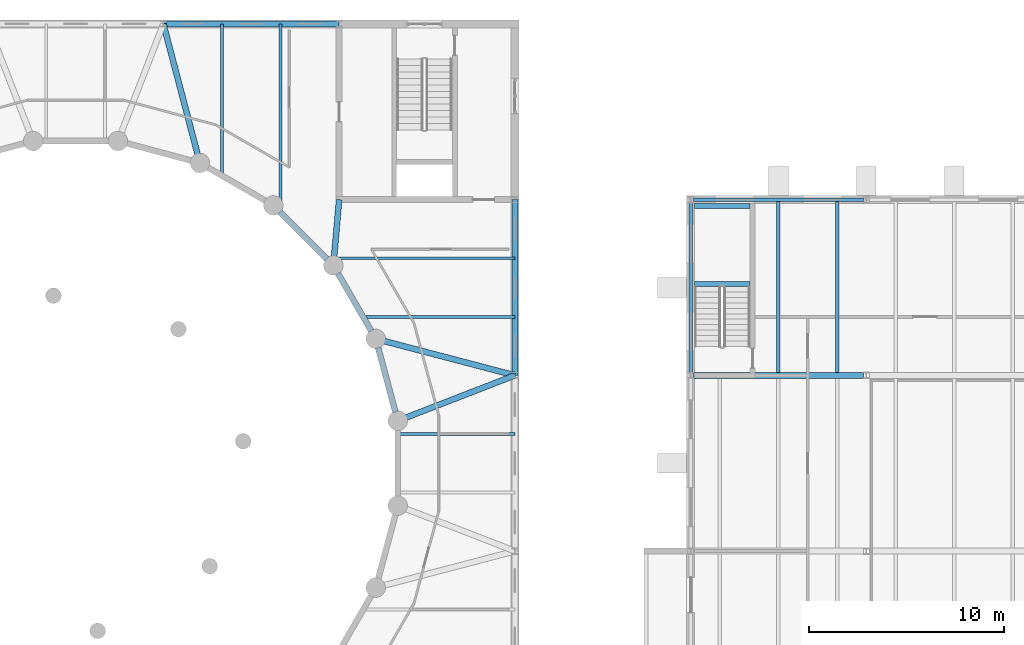
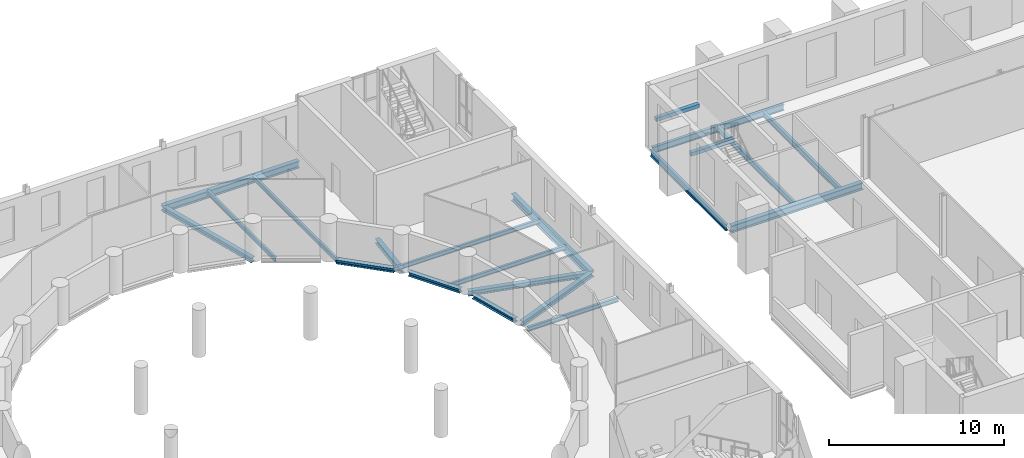
# One storey, part 49 of 134: 21 beams.
"""IFC4 building model written with IfcOpenShell, lengths in metres."""

from ifc_helpers import new_model, si_unit, direction, frame, origin, origin_2d, place, context, subcontext, project, spatial, rectangle, i_section, extrude, material, material_profile, profile_set, type_object, element, save


model = new_model("IFC4")

# Units and contexts
model_context = context("Model", 3, precision=1e-05, world=origin(), true_north=direction((0.0, 1.0)))
body_context = subcontext(model_context, "Body", "Model", "MODEL_VIEW")
ifc_project = project(units=[si_unit("LENGTHUNIT", "METRE"), si_unit("AREAUNIT", "SQUARE_METRE"), si_unit("VOLUMEUNIT", "CUBIC_METRE"), si_unit("PLANEANGLEUNIT", "RADIAN"), si_unit("MASSUNIT", "GRAM", prefix="KILO")], contexts=[model_context])

# Site, building, storey
site_placement = place(None, origin())
site = spatial("IfcSite", under=ifc_project, at=site_placement, CompositionType="ELEMENT")
building_placement = place(site_placement, origin())
building = spatial("IfcBuilding", under=site, at=building_placement, Name="Golden Quay Civic Hall", CompositionType="ELEMENT")
storey_placement = place(building_placement, frame((0.0, 0.0, 5.39990234375)))
storey = spatial("IfcBuildingStorey", under=building, at=storey_placement, Name="L01", CompositionType="ELEMENT", Elevation=5.39990234375)

# Beams
ifc_material_1 = material(Name="Concrete C35/45", Category="concrete")
ifc_material_profile_1 = material_profile(ifc_material_1, rectangle(XDim=0.25, YDim=0.25, at=origin_2d()), Name="RC 250x250")
ifc_profile_set_1 = profile_set([ifc_material_profile_1], Name="Concrete C35/45")
beam_type_1 = type_object("IfcBeamType", Name="Reinforced concrete landing beam 250x250", PredefinedType="BEAM", material=ifc_profile_set_1)
for number, where, z_axis, x_axis, name in (
    (1, (120.050048828125, 94.679931640625, 1.925048828125), (-1.0, 0.0, 0.0), (0.0, -1.0, 0.0), "L01 LB-STN L01 far landing trimmer beam 1"),
    (2, (120.050048828125, 98.675048828125, 1.925048828125), (-1.0, 0.0, 0.0), (0.0, -1.0, 0.0), "L01 LB-STN L01 far landing trimmer beam 2"),
):
    element("IfcBeam", number, at=place(storey_placement, frame(where, z_axis=z_axis, x_axis=x_axis)), inside=storey, type_object=beam_type_1, Name=name, PredefinedType="BEAM", context=body_context, shape_type="SweptSolid", body=[
        extrude(rectangle(XDim=0.25, YDim=0.25, at=origin_2d()), origin(), (0.0, 0.0, 1.0), 2.85009765625),
    ])
ifc_material_2 = material(Name="Steel S355", Category="steel")
ifc_material_profile_2 = material_profile(ifc_material_2, i_section(OverallWidth=0.18994140625, OverallDepth=0.449951171875, WebThickness=0.009521484375, FlangeThickness=0.0146484375, FilletRadius=0.02099609375, at=origin_2d()), Name="IPE 450")
ifc_profile_set_2 = profile_set([ifc_material_profile_2], Name="Steel S355")
beam_type_2 = type_object("IfcBeamType", Name="Steel edge beam IPE 450", PredefinedType="BEAM", material=ifc_profile_set_2)
beam_1_placement = place(storey_placement, frame((117.14990234375, 99.0, -0.4248046875), z_axis=(1.0, 0.0, 0.0), x_axis=(0.0, 1.0, 0.0)))
element("IfcBeam", 3, at=beam_1_placement, inside=storey, type_object=beam_type_2, Name="L01 edge beam 36-1", PredefinedType="BEAM", context=body_context, shape_type="SweptSolid", body=[
    extrude(i_section(OverallWidth=0.18994140625, OverallDepth=0.449951171875, WebThickness=0.009521484375, FlangeThickness=0.0146484375, FilletRadius=0.02099609375, at=origin_2d()), origin(), (0.0, 0.0, 1.0), 8.7001953125),
])
beam_2_placement = place(storey_placement, frame((117.0, 90.14990234375, -0.4248046875), z_axis=(0.0, 1.0, 0.0), x_axis=(-1.0, 0.0, 0.0)))
element("IfcBeam", 4, at=beam_2_placement, inside=storey, type_object=beam_type_2, Name="L01 edge beam u0-4", PredefinedType="BEAM", context=body_context, shape_type="SweptSolid", body=[
    extrude(i_section(OverallWidth=0.18994140625, OverallDepth=0.449951171875, WebThickness=0.009521484375, FlangeThickness=0.0146484375, FilletRadius=0.02099609375, at=origin_2d()), origin(), (0.0, 0.0, 1.0), 8.670166015625),
])
ifc_material_3 = material(Name="Steel S355", Category="steel")
ifc_material_profile_3 = material_profile(ifc_material_3, i_section(OverallWidth=0.300048828125, OverallDepth=0.330078125, WebThickness=0.009521484375, FlangeThickness=0.0166015625, FilletRadius=0.027099609375, at=origin_2d()), Name="HEA 340")
ifc_profile_set_3 = profile_set([ifc_material_profile_3], Name="Steel S355")
beam_type_3 = type_object("IfcBeamType", Name="Steel girder HEA 340", PredefinedType="BEAM", material=ifc_profile_set_3)
beam_3_placement = place(storey_placement, frame((90.0, 108.0, -0.364990234375), z_axis=(0.253703537011, -0.9672820247, 0.0), x_axis=(0.9672820247, 0.253703537011, 0.0)))
element("IfcBeam", 5, at=beam_3_placement, inside=storey, type_object=beam_type_3, Name="Radial girder 8", PredefinedType="BEAM", context=body_context, shape_type="SweptSolid", body=[
    extrude(i_section(OverallWidth=0.300048828125, OverallDepth=0.330078125, WebThickness=0.009521484375, FlangeThickness=0.0166015625, FilletRadius=0.027099609375, at=origin_2d()), origin(), (0.0, 0.0, 1.0), 7.365478515625),
])
beam_4_placement = place(storey_placement, frame((108.0, 90.0, -0.364990234375), z_axis=(-0.932303363588, -0.361677257017, 0.0), x_axis=(0.361677257017, -0.932303363588, 0.0)))
element("IfcBeam", 6, at=beam_4_placement, inside=storey, type_object=beam_type_3, Name="Radial girder 15", PredefinedType="BEAM", context=body_context, shape_type="SweptSolid", body=[
    extrude(i_section(OverallWidth=0.300048828125, OverallDepth=0.330078125, WebThickness=0.009521484375, FlangeThickness=0.0166015625, FilletRadius=0.027099609375, at=origin_2d()), origin(), (0.0, 0.0, 1.0), 6.435791015625),
])
beam_5_placement = place(storey_placement, frame((108.0, 90.0, -0.364990234375), z_axis=(-0.9672820247, 0.253703537011, 0.0), x_axis=(-0.253703537011, -0.9672820247, 0.0)))
element("IfcBeam", 7, at=beam_5_placement, inside=storey, type_object=beam_type_3, Name="Radial girder 16", PredefinedType="BEAM", context=body_context, shape_type="SweptSolid", body=[
    extrude(i_section(OverallWidth=0.300048828125, OverallDepth=0.330078125, WebThickness=0.009521484375, FlangeThickness=0.0166015625, FilletRadius=0.027099609375, at=origin_2d()), origin(), (0.0, 0.0, 1.0), 7.365478515625),
])
beam_6_placement = place(storey_placement, frame((99.0, 99.0, -0.364990234375), z_axis=(-0.087716822918, -0.996145450714, 0.0), x_axis=(0.996145450714, -0.087716822918, 0.0)))
element("IfcBeam", 8, at=beam_6_placement, inside=storey, type_object=beam_type_3, Name="Radial girder 20", PredefinedType="BEAM", context=body_context, shape_type="SweptSolid", body=[
    extrude(i_section(OverallWidth=0.300048828125, OverallDepth=0.330078125, WebThickness=0.009521484375, FlangeThickness=0.0166015625, FilletRadius=0.027099609375, at=origin_2d()), origin(), (0.0, 0.0, 1.0), 3.381591796875),
])
ifc_material_4 = material(Name="Steel S355", Category="steel")
ifc_material_profile_4 = material_profile(ifc_material_4, i_section(OverallWidth=0.300048828125, OverallDepth=0.489990234375, WebThickness=0.011962890625, FlangeThickness=0.02294921875, FilletRadius=0.027099609375, at=origin_2d()), Name="HEA 500")
ifc_profile_set_4 = profile_set([ifc_material_profile_4], Name="Steel S355")
beam_type_4 = type_object("IfcBeamType", Name="Steel girder HEA 500", PredefinedType="BEAM", material=ifc_profile_set_4)
for number, where, z_axis, x_axis, name in (
    (9, (90.0, 108.0, -0.44482421875), (1.0, 0.0, 0.0), (0.0, 1.0, 0.0), "Perimeter girder 10"),
    (10, (108.0, 90.0, -0.44482421875), (0.0, 1.0, 0.0), (-1.0, 0.0, 0.0), "Perimeter girder 12"),
):
    element("IfcBeam", number, at=place(storey_placement, frame(where, z_axis=z_axis, x_axis=x_axis)), inside=storey, type_object=beam_type_4, Name=name, PredefinedType="BEAM", context=body_context, shape_type="SweptSolid", body=[
        extrude(i_section(OverallWidth=0.300048828125, OverallDepth=0.489990234375, WebThickness=0.011962890625, FlangeThickness=0.02294921875, FilletRadius=0.027099609375, at=origin_2d()), origin(), (0.0, 0.0, 1.0), 9.0),
    ])
ifc_material_5 = material(Name="Steel S355", Category="steel")
ifc_material_profile_5 = material_profile(ifc_material_5, i_section(OverallWidth=0.300048828125, OverallDepth=0.5, WebThickness=0.014404296875, FlangeThickness=0.028076171875, FilletRadius=0.027099609375, at=origin_2d()), Name="HEB 500")
ifc_profile_set_5 = profile_set([ifc_material_profile_5], Name="Steel S355")
beam_type_5 = type_object("IfcBeamType", Name="Steel girder HEB 500", PredefinedType="BEAM", material=ifc_profile_set_5)
beam_7_placement = place(storey_placement, frame((117.14990234375, 90.0, -0.449951171875), z_axis=(1.0, 0.0, 0.0), x_axis=(0.0, 1.0, 0.0)))
element("IfcBeam", 11, at=beam_7_placement, inside=storey, type_object=beam_type_5, Name="L01 girder 27-1", PredefinedType="BEAM", context=body_context, shape_type="SweptSolid", body=[
    extrude(i_section(OverallWidth=0.300048828125, OverallDepth=0.5, WebThickness=0.014404296875, FlangeThickness=0.028076171875, FilletRadius=0.027099609375, at=origin_2d()), origin(), (0.0, 0.0, 1.0), 8.7001953125),
])
ifc_material_6 = material(Name="Steel S355", Category="steel")
ifc_material_profile_6 = material_profile(ifc_material_6, i_section(OverallWidth=0.14990234375, OverallDepth=0.300048828125, WebThickness=0.007080078125, FlangeThickness=0.0107421875, FilletRadius=0.014892578125, at=origin_2d()), Name="IPE 300")
ifc_profile_set_6 = profile_set([ifc_material_profile_6], Name="Steel S355")
beam_type_6 = type_object("IfcBeamType", Name="Steel joist IPE 300", PredefinedType="JOIST", material=ifc_profile_set_6)
beam_8_placement = place(storey_placement, frame((93.0, 108.0, -0.349853515625), z_axis=(0.0, -1.0, 0.0), x_axis=(1.0, 0.0, 0.0)))
element("IfcBeam", 12, at=beam_8_placement, inside=storey, type_object=beam_type_6, Name="Floor joist 11", PredefinedType="JOIST", context=body_context, shape_type="SweptSolid", body=[
    extrude(i_section(OverallWidth=0.14990234375, OverallDepth=0.300048828125, WebThickness=0.007080078125, FlangeThickness=0.0107421875, FilletRadius=0.014892578125, at=origin_2d()), origin(), (0.0, 0.0, 1.0), 7.777587890625),
])
beam_9_placement = place(storey_placement, frame((96.0, 108.0, -0.349853515625), z_axis=(0.0, -1.0, 0.0), x_axis=(1.0, 0.0, 0.0)))
element("IfcBeam", 13, at=beam_9_placement, inside=storey, type_object=beam_type_6, Name="Floor joist 12", PredefinedType="JOIST", context=body_context, shape_type="SweptSolid", body=[
    extrude(i_section(OverallWidth=0.14990234375, OverallDepth=0.300048828125, WebThickness=0.007080078125, FlangeThickness=0.0107421875, FilletRadius=0.014892578125, at=origin_2d()), origin(), (0.0, 0.0, 1.0), 9.66552734375),
])
beam_10_placement = place(storey_placement, frame((108.0, 87.0, -0.349853515625), z_axis=(-1.0, 0.0, 0.0), x_axis=(0.0, -1.0, 0.0)))
element("IfcBeam", 14, at=beam_10_placement, inside=storey, type_object=beam_type_6, Name="Floor joist 22", PredefinedType="JOIST", context=body_context, shape_type="SweptSolid", body=[
    extrude(i_section(OverallWidth=0.14990234375, OverallDepth=0.300048828125, WebThickness=0.007080078125, FlangeThickness=0.0107421875, FilletRadius=0.014892578125, at=origin_2d()), origin(), (0.0, 0.0, 1.0), 6.0),
])
beam_11_placement = place(storey_placement, frame((108.0, 93.0, -0.349853515625), z_axis=(-1.0, 0.0, 0.0), x_axis=(0.0, -1.0, 0.0)))
element("IfcBeam", 15, at=beam_11_placement, inside=storey, type_object=beam_type_6, Name="Floor joist 23", PredefinedType="JOIST", context=body_context, shape_type="SweptSolid", body=[
    extrude(i_section(OverallWidth=0.14990234375, OverallDepth=0.300048828125, WebThickness=0.007080078125, FlangeThickness=0.0107421875, FilletRadius=0.014892578125, at=origin_2d()), origin(), (0.0, 0.0, 1.0), 7.777587890625),
])
beam_12_placement = place(storey_placement, frame((108.0, 96.0, -0.349853515625), z_axis=(-1.0, 0.0, 0.0), x_axis=(0.0, -1.0, 0.0)))
element("IfcBeam", 16, at=beam_12_placement, inside=storey, type_object=beam_type_6, Name="Floor joist 24", PredefinedType="JOIST", context=body_context, shape_type="SweptSolid", body=[
    extrude(i_section(OverallWidth=0.14990234375, OverallDepth=0.300048828125, WebThickness=0.007080078125, FlangeThickness=0.0107421875, FilletRadius=0.014892578125, at=origin_2d()), origin(), (0.0, 0.0, 1.0), 9.66552734375),
])
ifc_material_7 = material(Name="Steel S355", Category="steel")
ifc_material_profile_7 = material_profile(ifc_material_7, i_section(OverallWidth=0.179931640625, OverallDepth=0.39990234375, WebThickness=0.008544921875, FlangeThickness=0.013427734375, FilletRadius=0.02099609375, at=origin_2d()), Name="IPE 400")
ifc_profile_set_7 = profile_set([ifc_material_profile_7], Name="Steel S355")
beam_type_7 = type_object("IfcBeamType", Name="Steel joist IPE 400", PredefinedType="JOIST", material=ifc_profile_set_7)
for number, where, z_axis, x_axis, name in (
    (17, (121.5, 90.14990234375, -0.39990234375), (0.0, 1.0, 0.0), (-1.0, 0.0, 0.0), "L01 joist 1.4.2"),
    (18, (124.5, 90.14990234375, -0.39990234375), (0.0, 1.0, 0.0), (-1.0, 0.0, 0.0), "L01 joist 1.4.3"),
):
    element("IfcBeam", number, at=place(storey_placement, frame(where, z_axis=z_axis, x_axis=x_axis)), inside=storey, type_object=beam_type_7, Name=name, PredefinedType="JOIST", context=body_context, shape_type="SweptSolid", body=[
        extrude(i_section(OverallWidth=0.179931640625, OverallDepth=0.39990234375, WebThickness=0.008544921875, FlangeThickness=0.013427734375, FilletRadius=0.02099609375, at=origin_2d()), origin(), (0.0, 0.0, 1.0), 8.755126953125),
    ])
ifc_material_8 = material(Name="Steel S355", Category="steel")
ifc_material_profile_8 = material_profile(ifc_material_8, i_section(OverallWidth=0.300048828125, OverallDepth=0.2900390625, WebThickness=0.008544921875, FlangeThickness=0.013916015625, FilletRadius=0.027099609375, at=origin_2d()), Name="HEA 300")
ifc_profile_set_8 = profile_set([ifc_material_profile_8], Name="Steel S355")
beam_type_8 = type_object("IfcBeamType", Name="Steel ring girder HEA 300", PredefinedType="BEAM", material=ifc_profile_set_8)
for number, where, z_axis, x_axis, name in (
    (19, (101.883544921875, 88.10693359375, -0.344970703125), (-0.258844730128, 0.965918943641, 0.0), (-0.965918943641, -0.258844730128, 0.0), "Rotunda ring girder segment 1"),
    (20, (100.650634765625, 92.258544921875, -0.344970703125), (-0.500049671601, 0.865996723973, 0.0), (-0.865996723973, -0.500049671601, 0.0), "Rotunda ring girder segment 2"),
):
    element("IfcBeam", number, at=place(storey_placement, frame(where, z_axis=z_axis, x_axis=x_axis)), inside=storey, type_object=beam_type_8, Name=name, PredefinedType="BEAM", context=body_context, shape_type="SweptSolid", body=[
        extrude(i_section(OverallWidth=0.300048828125, OverallDepth=0.2900390625, WebThickness=0.008544921875, FlangeThickness=0.013916015625, FilletRadius=0.027099609375, at=origin_2d()), origin(), (0.0, 0.0, 1.0), 3.444580078125),
    ])
beam_13_placement = place(storey_placement, frame((98.385009765625, 95.949462890625, -0.344970703125), z_axis=(-0.707106781187, 0.707106781187, 0.0), x_axis=(-0.707106781187, -0.707106781187, 0.0)))
element("IfcBeam", 21, at=beam_13_placement, inside=storey, type_object=beam_type_8, Name="Rotunda ring girder segment 3", PredefinedType="BEAM", context=body_context, shape_type="SweptSolid", body=[
    extrude(i_section(OverallWidth=0.300048828125, OverallDepth=0.2900390625, WebThickness=0.008544921875, FlangeThickness=0.013916015625, FilletRadius=0.027099609375, at=origin_2d()), origin(), (0.0, 0.0, 1.0), 3.4443359375),
])

save(model, "model.ifc")
